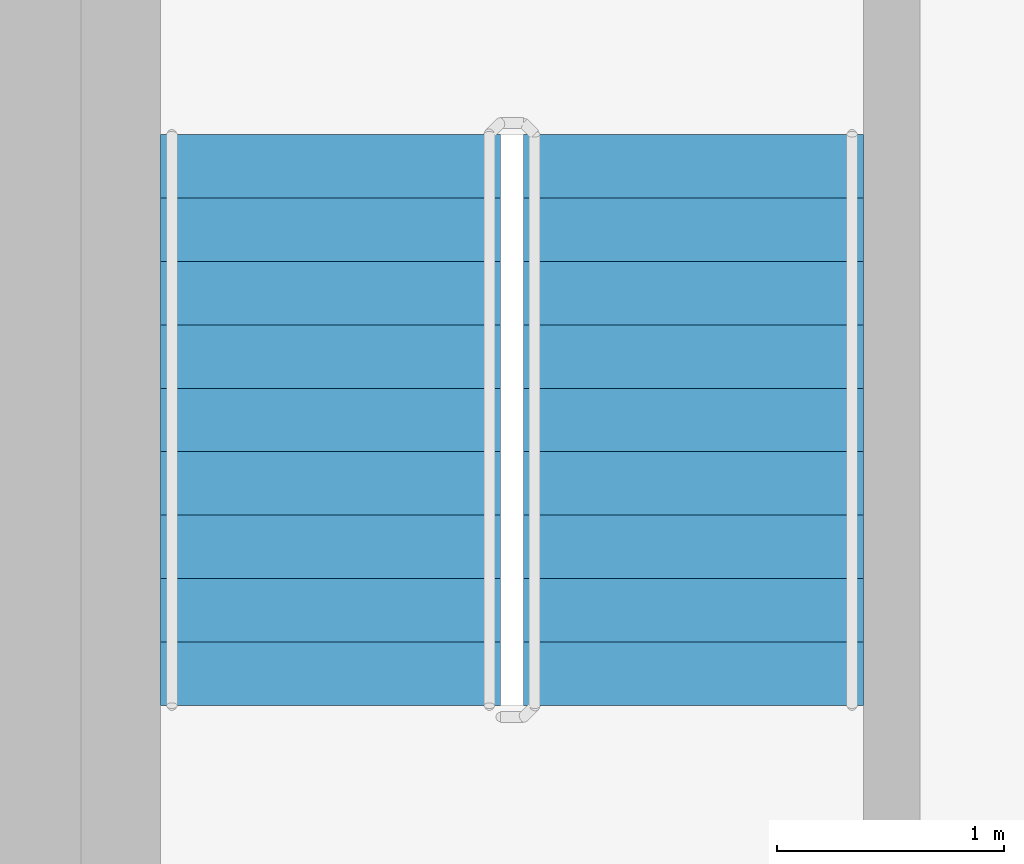
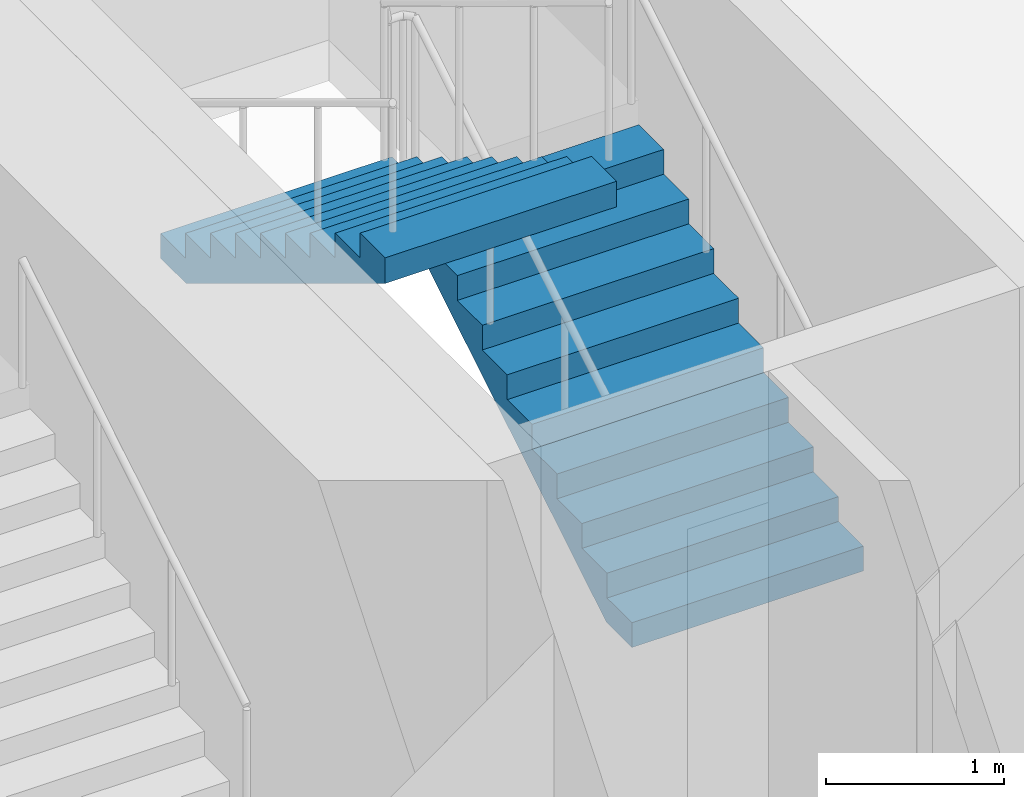
# One storey, part 20 of 23: 2 stair flights, 1 element without a shape of its own.
"""IFC4 building model written with IfcOpenShell, lengths in metres."""

from ifc_helpers import new_model, si_unit, direction, frame, origin, place, context, subcontext, project, spatial, triangles, source, transform, mapped, material, type_object, element, aggregate, save


model = new_model("IFC4")

# Units and contexts
model_context = context("Model", 3, precision=1e-05, world=origin(), true_north=direction((0.0, 1.0)))
body_context = subcontext(model_context, "Body", "Model", "MODEL_VIEW")
ifc_project = project(units=[si_unit("LENGTHUNIT", "METRE"), si_unit("AREAUNIT", "SQUARE_METRE"), si_unit("VOLUMEUNIT", "CUBIC_METRE"), si_unit("PLANEANGLEUNIT", "RADIAN"), si_unit("MASSUNIT", "GRAM", prefix="KILO")], contexts=[model_context])

# Site, building, storey
site_placement = place(None, origin())
site = spatial("IfcSite", under=ifc_project, at=site_placement, CompositionType="ELEMENT")
building_placement = place(site_placement, origin())
building = spatial("IfcBuilding", under=site, at=building_placement, Name="Kilnfold Tower and Market Hall", CompositionType="ELEMENT")
storey_placement = place(building_placement, frame((0.0, 0.0, 160.89990234375)))
storey = spatial("IfcBuildingStorey", under=building, at=storey_placement, Name="L37", CompositionType="ELEMENT", Elevation=160.89990234375)

# Stair, stair flights
ifc_material_1 = material(Name="Concrete C40/50", Category="concrete")
stair_type = type_object("IfcStairType", Name="CORE STAIR 1500", PredefinedType="HALF_TURN_STAIR", material=ifc_material_1)
stair_placement = place(storey_placement, origin())
stair = element("IfcStair", 1, at=stair_placement, inside=storey, type_object=stair_type, Name="L37 ST5", PredefinedType="HALF_TURN_STAIR")
ifc_material_2 = material(Name="Concrete C40/50", Category="concrete")
stair_flight_type = type_object("IfcStairFlightType", Name="CORE STAIR FLIGHT 1500", PredefinedType="STRAIGHT", material=ifc_material_2)
shared_shape = source(origin(), body_context, "Body", "Tessellation", [
    triangles([(0.0, 0.75, 0.0), (0.0, 0.65625, 0.0), (0.0, 0.5625, 0.0), (0.0, 0.46875, 0.0), (0.0, 0.375, 0.0), (0.0, 0.28125, 0.0), (0.0, 0.1875, 0.0), (0.0, 0.09375, 0.0), (0.0, 0.0, 0.0), (0.0, -0.09375, 0.0), (0.0, -0.1875, 0.0), (0.0, -0.28125, 0.0), (0.0, -0.375, 0.0), (0.0, -0.46875, 0.0), (0.0, -0.5625, 0.0), (0.0, -0.65625, 0.0), (0.0, -0.75, 0.0), (0.0, 0.75, 0.169921875), (0.0, 0.65625, 0.169921875), (0.0, 0.5625, 0.169921875), (0.0, 0.46875, 0.169921875), (0.0, 0.375, 0.169921875), (0.0, 0.28125, 0.169921875), (0.0, 0.1875, 0.169921875), (0.0, 0.09375, 0.169921875), (0.0, 0.0, 0.169921875), (0.0, -0.09375, 0.169921875), (0.0, -0.1875, 0.169921875), (0.0, -0.28125, 0.169921875), (0.0, -0.375, 0.169921875), (0.0, -0.46875, 0.169921875), (0.0, -0.5625, 0.169921875), (0.0, -0.65625, 0.169921875), (0.0, -0.75, 0.169921875), (0.280029296875, 0.75, 0.169921875), (0.280029296875, 0.65625, 0.169921875), (0.280029296875, 0.5625, 0.169921875), (0.280029296875, 0.46875, 0.169921875), (0.280029296875, 0.375, 0.169921875), (0.280029296875, 0.28125, 0.169921875), (0.280029296875, 0.1875, 0.169921875), (0.280029296875, 0.09375, 0.169921875), (0.280029296875, 0.0, 0.169921875), (0.280029296875, -0.09375, 0.169921875), (0.280029296875, -0.1875, 0.169921875), (0.280029296875, -0.28125, 0.169921875), (0.280029296875, -0.375, 0.169921875), (0.280029296875, -0.46875, 0.169921875), (0.280029296875, -0.5625, 0.169921875), (0.280029296875, -0.65625, 0.169921875), (0.280029296875, -0.75, 0.169921875), (0.280029296875, 0.75, 0.340087890625), (0.280029296875, 0.65625, 0.340087890625), (0.280029296875, 0.5625, 0.340087890625), (0.280029296875, 0.46875, 0.340087890625), (0.280029296875, 0.375, 0.340087890625), (0.280029296875, 0.28125, 0.340087890625), (0.280029296875, 0.1875, 0.340087890625), (0.280029296875, 0.09375, 0.340087890625), (0.280029296875, 0.0, 0.340087890625), (0.280029296875, -0.09375, 0.340087890625), (0.280029296875, -0.1875, 0.340087890625), (0.280029296875, -0.28125, 0.340087890625), (0.280029296875, -0.375, 0.340087890625), (0.280029296875, -0.46875, 0.340087890625), (0.280029296875, -0.5625, 0.340087890625), (0.280029296875, -0.65625, 0.340087890625), (0.280029296875, -0.75, 0.340087890625), (0.56005859375, 0.75, 0.340087890625), (0.56005859375, 0.65625, 0.340087890625), (0.56005859375, 0.5625, 0.340087890625), (0.56005859375, 0.46875, 0.340087890625), (0.56005859375, 0.375, 0.340087890625), (0.56005859375, 0.28125, 0.340087890625), (0.56005859375, 0.1875, 0.340087890625), (0.56005859375, 0.09375, 0.340087890625), (0.56005859375, 0.0, 0.340087890625), (0.56005859375, -0.09375, 0.340087890625), (0.56005859375, -0.1875, 0.340087890625), (0.56005859375, -0.28125, 0.340087890625), (0.56005859375, -0.375, 0.340087890625), (0.56005859375, -0.46875, 0.340087890625), (0.56005859375, -0.5625, 0.340087890625), (0.56005859375, -0.65625, 0.340087890625), (0.56005859375, -0.75, 0.340087890625), (0.56005859375, 0.75, 0.510009765625), (0.56005859375, 0.65625, 0.510009765625), (0.56005859375, 0.5625, 0.510009765625), (0.56005859375, 0.46875, 0.510009765625), (0.56005859375, 0.375, 0.510009765625), (0.56005859375, 0.28125, 0.510009765625), (0.56005859375, 0.1875, 0.510009765625), (0.56005859375, 0.09375, 0.510009765625), (0.56005859375, 0.0, 0.510009765625), (0.56005859375, -0.09375, 0.510009765625), (0.56005859375, -0.1875, 0.510009765625), (0.56005859375, -0.28125, 0.510009765625), (0.56005859375, -0.375, 0.510009765625), (0.56005859375, -0.46875, 0.510009765625), (0.56005859375, -0.5625, 0.510009765625), (0.56005859375, -0.65625, 0.510009765625), (0.56005859375, -0.75, 0.510009765625), (0.840087890625, 0.75, 0.510009765625), (0.840087890625, 0.65625, 0.510009765625), (0.840087890625, 0.5625, 0.510009765625), (0.840087890625, 0.46875, 0.510009765625), (0.840087890625, 0.375, 0.510009765625), (0.840087890625, 0.28125, 0.510009765625), (0.840087890625, 0.1875, 0.510009765625), (0.840087890625, 0.09375, 0.510009765625), (0.840087890625, 0.0, 0.510009765625), (0.840087890625, -0.09375, 0.510009765625), (0.840087890625, -0.1875, 0.510009765625), (0.840087890625, -0.28125, 0.510009765625), (0.840087890625, -0.375, 0.510009765625), (0.840087890625, -0.46875, 0.510009765625), (0.840087890625, -0.5625, 0.510009765625), (0.840087890625, -0.65625, 0.510009765625), (0.840087890625, -0.75, 0.510009765625), (0.840087890625, 0.75, 0.679931640625), (0.840087890625, 0.65625, 0.679931640625), (0.840087890625, 0.5625, 0.679931640625), (0.840087890625, 0.46875, 0.679931640625), (0.840087890625, 0.375, 0.679931640625), (0.840087890625, 0.28125, 0.679931640625), (0.840087890625, 0.1875, 0.679931640625), (0.840087890625, 0.09375, 0.679931640625), (0.840087890625, 0.0, 0.679931640625), (0.840087890625, -0.09375, 0.679931640625), (0.840087890625, -0.1875, 0.679931640625), (0.840087890625, -0.28125, 0.679931640625), (0.840087890625, -0.375, 0.679931640625), (0.840087890625, -0.46875, 0.679931640625), (0.840087890625, -0.5625, 0.679931640625), (0.840087890625, -0.65625, 0.679931640625), (0.840087890625, -0.75, 0.679931640625), (1.1201171875, 0.75, 0.679931640625), (1.1201171875, 0.65625, 0.679931640625), (1.1201171875, 0.5625, 0.679931640625), (1.1201171875, 0.46875, 0.679931640625), (1.1201171875, 0.375, 0.679931640625), (1.1201171875, 0.28125, 0.679931640625), (1.1201171875, 0.1875, 0.679931640625), (1.1201171875, 0.09375, 0.679931640625), (1.1201171875, 0.0, 0.679931640625), (1.1201171875, -0.09375, 0.679931640625), (1.1201171875, -0.1875, 0.679931640625), (1.1201171875, -0.28125, 0.679931640625), (1.1201171875, -0.375, 0.679931640625), (1.1201171875, -0.46875, 0.679931640625), (1.1201171875, -0.5625, 0.679931640625), (1.1201171875, -0.65625, 0.679931640625), (1.1201171875, -0.75, 0.679931640625), (1.1201171875, 0.75, 0.85009765625), (1.1201171875, 0.65625, 0.85009765625), (1.1201171875, 0.5625, 0.85009765625), (1.1201171875, 0.46875, 0.85009765625), (1.1201171875, 0.375, 0.85009765625), (1.1201171875, 0.28125, 0.85009765625), (1.1201171875, 0.1875, 0.85009765625), (1.1201171875, 0.09375, 0.85009765625), (1.1201171875, 0.0, 0.85009765625), (1.1201171875, -0.09375, 0.85009765625), (1.1201171875, -0.1875, 0.85009765625), (1.1201171875, -0.28125, 0.85009765625), (1.1201171875, -0.375, 0.85009765625), (1.1201171875, -0.46875, 0.85009765625), (1.1201171875, -0.5625, 0.85009765625), (1.1201171875, -0.65625, 0.85009765625), (1.1201171875, -0.75, 0.85009765625), (1.39990234375, 0.75, 0.85009765625), (1.39990234375, 0.65625, 0.85009765625), (1.39990234375, 0.5625, 0.85009765625), (1.39990234375, 0.46875, 0.85009765625), (1.39990234375, 0.375, 0.85009765625), (1.39990234375, 0.28125, 0.85009765625), (1.39990234375, 0.1875, 0.85009765625), (1.39990234375, 0.09375, 0.85009765625), (1.39990234375, 0.0, 0.85009765625), (1.39990234375, -0.09375, 0.85009765625), (1.39990234375, -0.1875, 0.85009765625), (1.39990234375, -0.28125, 0.85009765625), (1.39990234375, -0.375, 0.85009765625), (1.39990234375, -0.46875, 0.85009765625), (1.39990234375, -0.5625, 0.85009765625), (1.39990234375, -0.65625, 0.85009765625), (1.39990234375, -0.75, 0.85009765625), (1.39990234375, 0.75, 1.02001953125), (1.39990234375, 0.65625, 1.02001953125), (1.39990234375, 0.5625, 1.02001953125), (1.39990234375, 0.46875, 1.02001953125), (1.39990234375, 0.375, 1.02001953125), (1.39990234375, 0.28125, 1.02001953125), (1.39990234375, 0.1875, 1.02001953125), (1.39990234375, 0.09375, 1.02001953125), (1.39990234375, 0.0, 1.02001953125), (1.39990234375, -0.09375, 1.02001953125), (1.39990234375, -0.1875, 1.02001953125), (1.39990234375, -0.28125, 1.02001953125), (1.39990234375, -0.375, 1.02001953125), (1.39990234375, -0.46875, 1.02001953125), (1.39990234375, -0.5625, 1.02001953125), (1.39990234375, -0.65625, 1.02001953125), (1.39990234375, -0.75, 1.02001953125), (1.679931640625, 0.75, 1.02001953125), (1.679931640625, 0.65625, 1.02001953125), (1.679931640625, 0.5625, 1.02001953125), (1.679931640625, 0.46875, 1.02001953125), (1.679931640625, 0.375, 1.02001953125), (1.679931640625, 0.28125, 1.02001953125), (1.679931640625, 0.1875, 1.02001953125), (1.679931640625, 0.09375, 1.02001953125), (1.679931640625, 0.0, 1.02001953125), (1.679931640625, -0.09375, 1.02001953125), (1.679931640625, -0.1875, 1.02001953125), (1.679931640625, -0.28125, 1.02001953125), (1.679931640625, -0.375, 1.02001953125), (1.679931640625, -0.46875, 1.02001953125), (1.679931640625, -0.5625, 1.02001953125), (1.679931640625, -0.65625, 1.02001953125), (1.679931640625, -0.75, 1.02001953125), (1.679931640625, 0.75, 1.18994140625), (1.679931640625, 0.65625, 1.18994140625), (1.679931640625, 0.5625, 1.18994140625), (1.679931640625, 0.46875, 1.18994140625), (1.679931640625, 0.375, 1.18994140625), (1.679931640625, 0.28125, 1.18994140625), (1.679931640625, 0.1875, 1.18994140625), (1.679931640625, 0.09375, 1.18994140625), (1.679931640625, 0.0, 1.18994140625), (1.679931640625, -0.09375, 1.18994140625), (1.679931640625, -0.1875, 1.18994140625), (1.679931640625, -0.28125, 1.18994140625), (1.679931640625, -0.375, 1.18994140625), (1.679931640625, -0.46875, 1.18994140625), (1.679931640625, -0.5625, 1.18994140625), (1.679931640625, -0.65625, 1.18994140625), (1.679931640625, -0.75, 1.18994140625), (1.9599609375, 0.75, 1.18994140625), (1.9599609375, 0.65625, 1.18994140625), (1.9599609375, 0.5625, 1.18994140625), (1.9599609375, 0.46875, 1.18994140625), (1.9599609375, 0.375, 1.18994140625), (1.9599609375, 0.28125, 1.18994140625), (1.9599609375, 0.1875, 1.18994140625), (1.9599609375, 0.09375, 1.18994140625), (1.9599609375, 0.0, 1.18994140625), (1.9599609375, -0.09375, 1.18994140625), (1.9599609375, -0.1875, 1.18994140625), (1.9599609375, -0.28125, 1.18994140625), (1.9599609375, -0.375, 1.18994140625), (1.9599609375, -0.46875, 1.18994140625), (1.9599609375, -0.5625, 1.18994140625), (1.9599609375, -0.65625, 1.18994140625), (1.9599609375, -0.75, 1.18994140625), (1.9599609375, 0.75, 1.360107421875), (1.9599609375, 0.65625, 1.360107421875), (1.9599609375, 0.5625, 1.360107421875), (1.9599609375, 0.46875, 1.360107421875), (1.9599609375, 0.375, 1.360107421875), (1.9599609375, 0.28125, 1.360107421875), (1.9599609375, 0.1875, 1.360107421875), (1.9599609375, 0.09375, 1.360107421875), (1.9599609375, 0.0, 1.360107421875), (1.9599609375, -0.09375, 1.360107421875), (1.9599609375, -0.1875, 1.360107421875), (1.9599609375, -0.28125, 1.360107421875), (1.9599609375, -0.375, 1.360107421875), (1.9599609375, -0.46875, 1.360107421875), (1.9599609375, -0.5625, 1.360107421875), (1.9599609375, -0.65625, 1.360107421875), (1.9599609375, -0.75, 1.360107421875), (2.239990234375, 0.75, 1.360107421875), (2.239990234375, 0.65625, 1.360107421875), (2.239990234375, 0.5625, 1.360107421875), (2.239990234375, 0.46875, 1.360107421875), (2.239990234375, 0.375, 1.360107421875), (2.239990234375, 0.28125, 1.360107421875), (2.239990234375, 0.1875, 1.360107421875), (2.239990234375, 0.09375, 1.360107421875), (2.239990234375, 0.0, 1.360107421875), (2.239990234375, -0.09375, 1.360107421875), (2.239990234375, -0.1875, 1.360107421875), (2.239990234375, -0.28125, 1.360107421875), (2.239990234375, -0.375, 1.360107421875), (2.239990234375, -0.46875, 1.360107421875), (2.239990234375, -0.5625, 1.360107421875), (2.239990234375, -0.65625, 1.360107421875), (2.239990234375, -0.75, 1.360107421875), (2.239990234375, 0.75, 1.530029296875), (2.239990234375, 0.65625, 1.530029296875), (2.239990234375, 0.5625, 1.530029296875), (2.239990234375, 0.46875, 1.530029296875), (2.239990234375, 0.375, 1.530029296875), (2.239990234375, 0.28125, 1.530029296875), (2.239990234375, 0.1875, 1.530029296875), (2.239990234375, 0.09375, 1.530029296875), (2.239990234375, 0.0, 1.530029296875), (2.239990234375, -0.09375, 1.530029296875), (2.239990234375, -0.1875, 1.530029296875), (2.239990234375, -0.28125, 1.530029296875), (2.239990234375, -0.375, 1.530029296875), (2.239990234375, -0.46875, 1.530029296875), (2.239990234375, -0.5625, 1.530029296875), (2.239990234375, -0.65625, 1.530029296875), (2.239990234375, -0.75, 1.530029296875), (2.52001953125, 0.75, 1.530029296875), (2.52001953125, 0.65625, 1.530029296875), (2.52001953125, 0.5625, 1.530029296875), (2.52001953125, 0.46875, 1.530029296875), (2.52001953125, 0.375, 1.530029296875), (2.52001953125, 0.28125, 1.530029296875), (2.52001953125, 0.1875, 1.530029296875), (2.52001953125, 0.09375, 1.530029296875), (2.52001953125, 0.0, 1.530029296875), (2.52001953125, -0.09375, 1.530029296875), (2.52001953125, -0.1875, 1.530029296875), (2.52001953125, -0.28125, 1.530029296875), (2.52001953125, -0.375, 1.530029296875), (2.52001953125, -0.46875, 1.530029296875), (2.52001953125, -0.5625, 1.530029296875), (2.52001953125, -0.65625, 1.530029296875), (2.52001953125, -0.75, 1.530029296875), (2.52001953125, 0.75, 1.354736328125), (2.52001953125, 0.65625, 1.354736328125), (2.52001953125, 0.5625, 1.354736328125), (2.52001953125, 0.46875, 1.354736328125), (2.52001953125, 0.375, 1.354736328125), (2.52001953125, 0.28125, 1.354736328125), (2.52001953125, 0.1875, 1.354736328125), (2.52001953125, 0.09375, 1.354736328125), (2.52001953125, 0.0, 1.354736328125), (2.52001953125, -0.09375, 1.354736328125), (2.52001953125, -0.1875, 1.354736328125), (2.52001953125, -0.28125, 1.354736328125), (2.52001953125, -0.375, 1.354736328125), (2.52001953125, -0.46875, 1.354736328125), (2.52001953125, -0.5625, 1.354736328125), (2.52001953125, -0.65625, 1.354736328125), (2.52001953125, -0.75, 1.354736328125), (0.288818359375, 0.75, 0.0), (0.288818359375, 0.65625, 0.0), (0.288818359375, 0.5625, 0.0), (0.288818359375, 0.46875, 0.0), (0.288818359375, 0.375, 0.0), (0.288818359375, 0.28125, 0.0), (0.288818359375, 0.1875, 0.0), (0.288818359375, 0.09375, 0.0), (0.288818359375, 0.0, 0.0), (0.288818359375, -0.09375, 0.0), (0.288818359375, -0.1875, 0.0), (0.288818359375, -0.28125, 0.0), (0.288818359375, -0.375, 0.0), (0.288818359375, -0.46875, 0.0), (0.288818359375, -0.5625, 0.0), (0.288818359375, -0.65625, 0.0), (0.288818359375, -0.75, 0.0)], [[1, 324, 341], [17, 357, 340], [324, 290, 307], [340, 323, 306], [324, 273, 290], [340, 306, 289], [324, 256, 273], [340, 289, 272], [324, 239, 256], [340, 272, 255], [239, 205, 222], [255, 238, 221], [324, 205, 239], [340, 255, 221], [205, 171, 188], [221, 204, 187], [324, 171, 205], [340, 221, 187], [171, 137, 154], [187, 170, 153], [324, 137, 171], [340, 187, 153], [137, 103, 120], [153, 136, 119], [324, 103, 137], [340, 153, 119], [103, 69, 86], [119, 102, 85], [324, 69, 103], [340, 119, 85], [69, 35, 52], [85, 68, 51], [324, 35, 69], [340, 85, 51], [1, 35, 324], [17, 340, 51], [35, 1, 18], [51, 34, 17], [1, 19, 18], [1, 2, 19], [2, 20, 19], [2, 3, 20], [3, 21, 20], [3, 4, 21], [4, 22, 21], [4, 5, 22], [5, 23, 22], [5, 6, 23], [6, 24, 23], [6, 7, 24], [7, 25, 24], [7, 8, 25], [8, 26, 25], [8, 9, 26], [9, 27, 26], [9, 10, 27], [10, 28, 27], [10, 11, 28], [11, 29, 28], [11, 12, 29], [12, 30, 29], [12, 13, 30], [13, 31, 30], [13, 14, 31], [14, 32, 31], [14, 15, 32], [15, 33, 32], [15, 16, 33], [16, 34, 33], [16, 17, 34], [18, 36, 35], [18, 19, 36], [19, 37, 36], [19, 20, 37], [20, 38, 37], [20, 21, 38], [21, 39, 38], [21, 22, 39], [22, 40, 39], [22, 23, 40], [23, 41, 40], [23, 24, 41], [24, 42, 41], [24, 25, 42], [25, 43, 42], [25, 26, 43], [26, 44, 43], [26, 27, 44], [27, 45, 44], [27, 28, 45], [28, 46, 45], [28, 29, 46], [29, 47, 46], [29, 30, 47], [30, 48, 47], [30, 31, 48], [31, 49, 48], [31, 32, 49], [32, 50, 49], [32, 33, 50], [33, 51, 50], [33, 34, 51], [35, 53, 52], [35, 36, 53], [36, 54, 53], [36, 37, 54], [37, 55, 54], [37, 38, 55], [38, 56, 55], [38, 39, 56], [39, 57, 56], [39, 40, 57], [40, 58, 57], [40, 41, 58], [41, 59, 58], [41, 42, 59], [42, 60, 59], [42, 43, 60], [43, 61, 60], [43, 44, 61], [44, 62, 61], [44, 45, 62], [45, 63, 62], [45, 46, 63], [46, 64, 63], [46, 47, 64], [47, 65, 64], [47, 48, 65], [48, 66, 65], [48, 49, 66], [49, 67, 66], [49, 50, 67], [50, 68, 67], [50, 51, 68], [52, 70, 69], [52, 53, 70], [53, 71, 70], [53, 54, 71], [54, 72, 71], [54, 55, 72], [55, 73, 72], [55, 56, 73], [56, 74, 73], [56, 57, 74], [57, 75, 74], [57, 58, 75], [58, 76, 75], [58, 59, 76], [59, 77, 76], [59, 60, 77], [60, 78, 77], [60, 61, 78], [61, 79, 78], [61, 62, 79], [62, 80, 79], [62, 63, 80], [63, 81, 80], [63, 64, 81], [64, 82, 81], [64, 65, 82], [65, 83, 82], [65, 66, 83], [66, 84, 83], [66, 67, 84], [67, 85, 84], [67, 68, 85], [69, 87, 86], [69, 70, 87], [70, 88, 87], [70, 71, 88], [71, 89, 88], [71, 72, 89], [72, 90, 89], [72, 73, 90], [73, 91, 90], [73, 74, 91], [74, 92, 91], [74, 75, 92], [75, 93, 92], [75, 76, 93], [76, 94, 93], [76, 77, 94], [77, 95, 94], [77, 78, 95], [78, 96, 95], [78, 79, 96], [79, 97, 96], [79, 80, 97], [80, 98, 97], [80, 81, 98], [81, 99, 98], [81, 82, 99], [82, 100, 99], [82, 83, 100], [83, 101, 100], [83, 84, 101], [84, 102, 101], [84, 85, 102], [86, 104, 103], [86, 87, 104], [87, 105, 104], [87, 88, 105], [88, 106, 105], [88, 89, 106], [89, 107, 106], [89, 90, 107], [90, 108, 107], [90, 91, 108], [91, 109, 108], [91, 92, 109], [92, 110, 109], [92, 93, 110], [93, 111, 110], [93, 94, 111], [94, 112, 111], [94, 95, 112], [95, 113, 112], [95, 96, 113], [96, 114, 113], [96, 97, 114], [97, 115, 114], [97, 98, 115], [98, 116, 115], [98, 99, 116], [99, 117, 116], [99, 100, 117], [100, 118, 117], [100, 101, 118], [101, 119, 118], [101, 102, 119], [103, 121, 120], [103, 104, 121], [104, 122, 121], [104, 105, 122], [105, 123, 122], [105, 106, 123], [106, 124, 123], [106, 107, 124], [107, 125, 124], [107, 108, 125], [108, 126, 125], [108, 109, 126], [109, 127, 126], [109, 110, 127], [110, 128, 127], [110, 111, 128], [111, 129, 128], [111, 112, 129], [112, 130, 129], [112, 113, 130], [113, 131, 130], [113, 114, 131], [114, 132, 131], [114, 115, 132], [115, 133, 132], [115, 116, 133], [116, 134, 133], [116, 117, 134], [117, 135, 134], [117, 118, 135], [118, 136, 135], [118, 119, 136], [120, 138, 137], [120, 121, 138], [121, 139, 138], [121, 122, 139], [122, 140, 139], [122, 123, 140], [123, 141, 140], [123, 124, 141], [124, 142, 141], [124, 125, 142], [125, 143, 142], [125, 126, 143], [126, 144, 143], [126, 127, 144], [127, 145, 144], [127, 128, 145], [128, 146, 145], [128, 129, 146], [129, 147, 146], [129, 130, 147], [130, 148, 147], [130, 131, 148], [131, 149, 148], [131, 132, 149], [132, 150, 149], [132, 133, 150], [133, 151, 150], [133, 134, 151], [134, 152, 151], [134, 135, 152], [135, 153, 152], [135, 136, 153], [137, 155, 154], [137, 138, 155], [138, 156, 155], [138, 139, 156], [139, 157, 156], [139, 140, 157], [140, 158, 157], [140, 141, 158], [141, 159, 158], [141, 142, 159], [142, 160, 159], [142, 143, 160], [143, 161, 160], [143, 144, 161], [144, 162, 161], [144, 145, 162], [145, 163, 162], [145, 146, 163], [146, 164, 163], [146, 147, 164], [147, 165, 164], [147, 148, 165], [148, 166, 165], [148, 149, 166], [149, 167, 166], [149, 150, 167], [150, 168, 167], [150, 151, 168], [151, 169, 168], [151, 152, 169], [152, 170, 169], [152, 153, 170], [154, 172, 171], [154, 155, 172], [155, 173, 172], [155, 156, 173], [156, 174, 173], [156, 157, 174], [157, 175, 174], [157, 158, 175], [158, 176, 175], [158, 159, 176], [159, 177, 176], [159, 160, 177], [160, 178, 177], [160, 161, 178], [161, 179, 178], [161, 162, 179], [162, 180, 179], [162, 163, 180], [163, 181, 180], [163, 164, 181], [164, 182, 181], [164, 165, 182], [165, 183, 182], [165, 166, 183], [166, 184, 183], [166, 167, 184], [167, 185, 184], [167, 168, 185], [168, 186, 185], [168, 169, 186], [169, 187, 186], [169, 170, 187], [171, 189, 188], [171, 172, 189], [172, 190, 189], [172, 173, 190], [173, 191, 190], [173, 174, 191], [174, 192, 191], [174, 175, 192], [175, 193, 192], [175, 176, 193], [176, 194, 193], [176, 177, 194], [177, 195, 194], [177, 178, 195], [178, 196, 195], [178, 179, 196], [179, 197, 196], [179, 180, 197], [180, 198, 197], [180, 181, 198], [181, 199, 198], [181, 182, 199], [182, 200, 199], [182, 183, 200], [183, 201, 200], [183, 184, 201], [184, 202, 201], [184, 185, 202], [185, 203, 202], [185, 186, 203], [186, 204, 203], [186, 187, 204], [188, 206, 205], [188, 189, 206], [189, 207, 206], [189, 190, 207], [190, 208, 207], [190, 191, 208], [191, 209, 208], [191, 192, 209], [192, 210, 209], [192, 193, 210], [193, 211, 210], [193, 194, 211], [194, 212, 211], [194, 195, 212], [195, 213, 212], [195, 196, 213], [196, 214, 213], [196, 197, 214], [197, 215, 214], [197, 198, 215], [198, 216, 215], [198, 199, 216], [199, 217, 216], [199, 200, 217], [200, 218, 217], [200, 201, 218], [201, 219, 218], [201, 202, 219], [202, 220, 219], [202, 203, 220], [203, 221, 220], [203, 204, 221], [205, 223, 222], [205, 206, 223], [206, 224, 223], [206, 207, 224], [207, 225, 224], [207, 208, 225], [208, 226, 225], [208, 209, 226], [209, 227, 226], [209, 210, 227], [210, 228, 227], [210, 211, 228], [211, 229, 228], [211, 212, 229], [212, 230, 229], [212, 213, 230], [213, 231, 230], [213, 214, 231], [214, 232, 231], [214, 215, 232], [215, 233, 232], [215, 216, 233], [216, 234, 233], [216, 217, 234], [217, 235, 234], [217, 218, 235], [218, 236, 235], [218, 219, 236], [219, 237, 236], [219, 220, 237], [220, 238, 237], [220, 221, 238], [222, 240, 239], [222, 223, 240], [223, 241, 240], [223, 224, 241], [224, 242, 241], [224, 225, 242], [225, 243, 242], [225, 226, 243], [226, 244, 243], [226, 227, 244], [227, 245, 244], [227, 228, 245], [228, 246, 245], [228, 229, 246], [229, 247, 246], [229, 230, 247], [230, 248, 247], [230, 231, 248], [231, 249, 248], [231, 232, 249], [232, 250, 249], [232, 233, 250], [233, 251, 250], [233, 234, 251], [234, 252, 251], [234, 235, 252], [235, 253, 252], [235, 236, 253], [236, 254, 253], [236, 237, 254], [237, 255, 254], [237, 238, 255], [239, 257, 256], [239, 240, 257], [240, 258, 257], [240, 241, 258], [241, 259, 258], [241, 242, 259], [242, 260, 259], [242, 243, 260], [243, 261, 260], [243, 244, 261], [244, 262, 261], [244, 245, 262], [245, 263, 262], [245, 246, 263], [246, 264, 263], [246, 247, 264], [247, 265, 264], [247, 248, 265], [248, 266, 265], [248, 249, 266], [249, 267, 266], [249, 250, 267], [250, 268, 267], [250, 251, 268], [251, 269, 268], [251, 252, 269], [252, 270, 269], [252, 253, 270], [253, 271, 270], [253, 254, 271], [254, 272, 271], [254, 255, 272], [256, 274, 273], [256, 257, 274], [257, 275, 274], [257, 258, 275], [258, 276, 275], [258, 259, 276], [259, 277, 276], [259, 260, 277], [260, 278, 277], [260, 261, 278], [261, 279, 278], [261, 262, 279], [262, 280, 279], [262, 263, 280], [263, 281, 280], [263, 264, 281], [264, 282, 281], [264, 265, 282], [265, 283, 282], [265, 266, 283], [266, 284, 283], [266, 267, 284], [267, 285, 284], [267, 268, 285], [268, 286, 285], [268, 269, 286], [269, 287, 286], [269, 270, 287], [270, 288, 287], [270, 271, 288], [271, 289, 288], [271, 272, 289], [273, 291, 290], [273, 274, 291], [274, 292, 291], [274, 275, 292], [275, 293, 292], [275, 276, 293], [276, 294, 293], [276, 277, 294], [277, 295, 294], [277, 278, 295], [278, 296, 295], [278, 279, 296], [279, 297, 296], [279, 280, 297], [280, 298, 297], [280, 281, 298], [281, 299, 298], [281, 282, 299], [282, 300, 299], [282, 283, 300], [283, 301, 300], [283, 284, 301], [284, 302, 301], [284, 285, 302], [285, 303, 302], [285, 286, 303], [286, 304, 303], [286, 287, 304], [287, 305, 304], [287, 288, 305], [288, 306, 305], [288, 289, 306], [290, 308, 307], [290, 291, 308], [291, 309, 308], [291, 292, 309], [292, 310, 309], [292, 293, 310], [293, 311, 310], [293, 294, 311], [294, 312, 311], [294, 295, 312], [295, 313, 312], [295, 296, 313], [296, 314, 313], [296, 297, 314], [297, 315, 314], [297, 298, 315], [298, 316, 315], [298, 299, 316], [299, 317, 316], [299, 300, 317], [300, 318, 317], [300, 301, 318], [301, 319, 318], [301, 302, 319], [302, 320, 319], [302, 303, 320], [303, 321, 320], [303, 304, 321], [304, 322, 321], [304, 305, 322], [305, 323, 322], [305, 306, 323], [307, 325, 324], [307, 308, 325], [308, 326, 325], [308, 309, 326], [309, 327, 326], [309, 310, 327], [310, 328, 327], [310, 311, 328], [311, 329, 328], [311, 312, 329], [312, 330, 329], [312, 313, 330], [313, 331, 330], [313, 314, 331], [314, 332, 331], [314, 315, 332], [315, 333, 332], [315, 316, 333], [316, 334, 333], [316, 317, 334], [317, 335, 334], [317, 318, 335], [318, 336, 335], [318, 319, 336], [319, 337, 336], [319, 320, 337], [320, 338, 337], [320, 321, 338], [321, 339, 338], [321, 322, 339], [322, 340, 339], [322, 323, 340], [324, 342, 341], [324, 325, 342], [325, 343, 342], [325, 326, 343], [326, 344, 343], [326, 327, 344], [327, 345, 344], [327, 328, 345], [328, 346, 345], [328, 329, 346], [329, 347, 346], [329, 330, 347], [330, 348, 347], [330, 331, 348], [331, 349, 348], [331, 332, 349], [332, 350, 349], [332, 333, 350], [333, 351, 350], [333, 334, 351], [334, 352, 351], [334, 335, 352], [335, 353, 352], [335, 336, 353], [336, 354, 353], [336, 337, 354], [337, 355, 354], [337, 338, 355], [338, 356, 355], [338, 339, 356], [339, 357, 356], [339, 340, 357], [341, 2, 1], [341, 342, 2], [342, 3, 2], [342, 343, 3], [343, 4, 3], [343, 344, 4], [344, 5, 4], [344, 345, 5], [345, 6, 5], [345, 346, 6], [346, 7, 6], [346, 347, 7], [347, 8, 7], [347, 348, 8], [348, 9, 8], [348, 349, 9], [349, 10, 9], [349, 350, 10], [350, 11, 10], [350, 351, 11], [351, 12, 11], [351, 352, 12], [352, 13, 12], [352, 353, 13], [353, 14, 13], [353, 354, 14], [354, 15, 14], [354, 355, 15], [355, 16, 15], [355, 356, 16], [356, 17, 16], [356, 357, 17]], closed=True),
])
stair_flight_1_placement = place(storey_placement, frame((20.699951171875, 11.5, 0.0), z_axis=(0.0, 0.0, 1.0), x_axis=(0.0, 1.0, 0.0)))
stair_flight_1 = element("IfcStairFlight", 2, at=stair_flight_1_placement, type_object=stair_flight_type, Name="ST5 flight 1", NumberOfRisers=10, NumberOfTreads=9, PredefinedType="STRAIGHT", RiserHeight=0.17, TreadLength=0.28, context=body_context, shape_type="MappedRepresentation", body=[
    mapped(shared_shape, transform((0.0, 0.0, 0.0))),
])
stair_flight_2_placement = place(storey_placement, frame((19.10009765625, 14.02001953125, 1.7001953125), z_axis=(0.0, 0.0, 1.0), x_axis=(0.0, -1.0, 0.0)))
stair_flight_2 = element("IfcStairFlight", 3, at=stair_flight_2_placement, type_object=stair_flight_type, Name="ST5 flight 2", NumberOfRisers=10, NumberOfTreads=9, PredefinedType="STRAIGHT", RiserHeight=0.17, TreadLength=0.28, context=body_context, shape_type="MappedRepresentation", body=[
    mapped(shared_shape, transform((0.0, 0.0, 0.0))),
])
aggregate(stair, [stair_flight_1, stair_flight_2])

save(model, "model.ifc")
